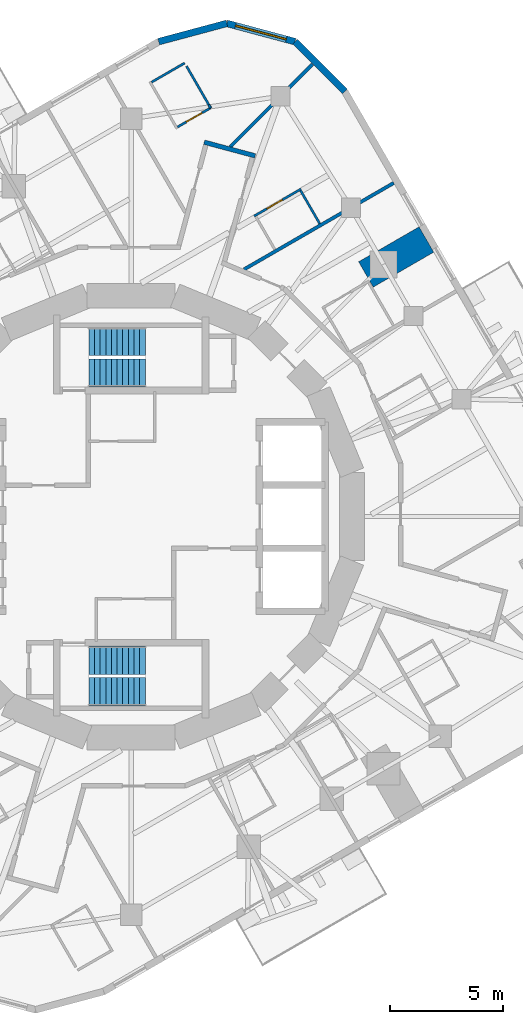
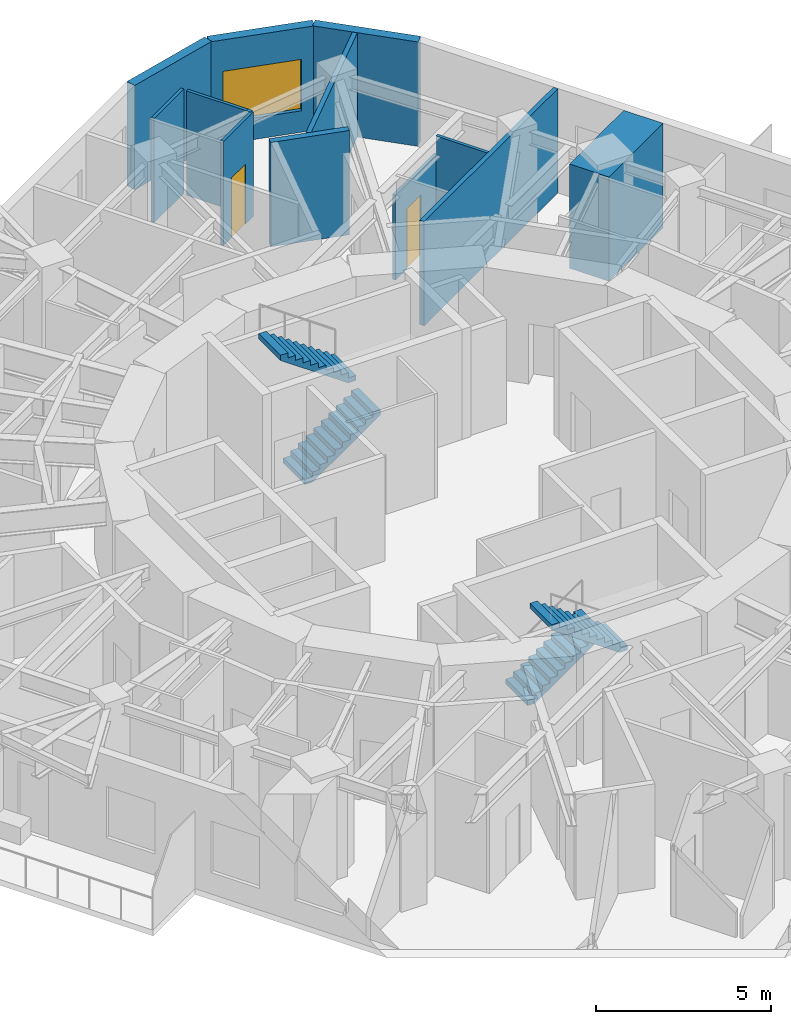
# One storey, part 9 of 11: 13 walls, 4 stair flights, 2 doors, 1 window, 3 openings, 2 elements without a shape of their own.
"""IFC4 building model written with IfcOpenShell, lengths in metres."""

from ifc_helpers import new_model, si_unit, direction, frame, frame_2d, origin, place, context, subcontext, project, spatial, polyline, rectangle, outline, extrude, material, layer, layer_set, type_object, element, fill, aggregate, save


model = new_model("IFC4")

# Units and contexts
model_context = context("Model", 3, precision=1e-05, world=origin(), true_north=direction((0.0, 1.0)))
body_context = subcontext(model_context, "Body", "Model", "MODEL_VIEW")
ifc_project = project(units=[si_unit("LENGTHUNIT", "METRE"), si_unit("AREAUNIT", "SQUARE_METRE"), si_unit("VOLUMEUNIT", "CUBIC_METRE"), si_unit("PLANEANGLEUNIT", "RADIAN"), si_unit("MASSUNIT", "GRAM", prefix="KILO")], contexts=[model_context])

# Site, building, storey
site_placement = place(None, origin())
site = spatial("IfcSite", under=ifc_project, at=site_placement, CompositionType="ELEMENT")
building_placement = place(site_placement, origin())
building = spatial("IfcBuilding", under=site, at=building_placement, Name="Nakasero Lantern House", CompositionType="ELEMENT")
storey_placement = place(building_placement, frame((0.0, 0.0, 250.050048828125)))
storey = spatial("IfcBuildingStorey", under=building, at=storey_placement, Name="L61", CompositionType="ELEMENT", Elevation=250.050048828125)

# Walls
ifc_material_1 = material(Name="Blockwork", Category="masonry")
ifc_layer_1 = layer(ifc_material_1, 1.300048828125)
ifc_layer_set_1 = layer_set([ifc_layer_1], Name="Column pier 1300")
wall_type_1 = type_object("IfcWallType", Name="Column pier 1300", PredefinedType="PARTITIONING", material=ifc_layer_set_1)
wall_1_placement = place(storey_placement, frame((10.4208984375, 10.75048828125, 0.0), z_axis=(0.0, 0.0, 1.0), x_axis=(0.866063626216, 0.499933790963, 0.0)))
element("IfcWall", 1, at=wall_1_placement, inside=storey, type_object=wall_type_1, Name="Column pier L61 PN0-05", PredefinedType="PARTITIONING", context=body_context, shape_type="SweptSolid", body=[
    extrude(rectangle(XDim=3.10009765625, YDim=1.300048828125, at=frame_2d((1.550048828125, 0.0))), origin(), (0.0, 0.0, 1.0), 3.64990234375),
])
ifc_material_2 = material(Name="Blockwork", Category="masonry")
ifc_layer_2 = layer(ifc_material_2, 0.199951171875)
ifc_layer_set_2 = layer_set([ifc_layer_2], Name="Corridor wall 200")
wall_type_2 = type_object("IfcWallType", Name="Corridor wall 200", PredefinedType="PARTITIONING", material=ifc_layer_set_2)
wall_2_placement = place(storey_placement, frame((5.502685546875, 16.015380859375, 0.0), z_axis=(0.0, 0.0, 1.0), x_axis=(-0.965917312786, 0.258850815837, 0.0)))
element("IfcWall", 2, at=wall_2_placement, inside=storey, type_object=wall_type_2, Name="Corridor wall L61 SP0e", PredefinedType="PARTITIONING", context=body_context, shape_type="SweptSolid", body=[
    extrude(rectangle(XDim=2.340087890625, YDim=0.199951171875, at=frame_2d((1.169921875, 0.0))), origin(), (0.0, 0.0, 1.0), 3.64990234375),
])

# Wall, opening, door
ifc_material_3 = material(Name="Blockwork", Category="masonry")
ifc_layer_3 = layer(ifc_material_3, 0.10009765625)
ifc_layer_set_3 = layer_set([ifc_layer_3], Name="En-suite wall 100")
wall_type_3 = type_object("IfcWallType", Name="En-suite wall 100", PredefinedType="PARTITIONING", material=ifc_layer_set_3)
wall_3_placement = place(storey_placement, frame((5.46044921875, 13.342041015625, 0.0), z_axis=(0.0, 0.0, 1.0), x_axis=(0.866006032174, 0.500033551112, 0.0)))
wall_3 = element("IfcWall", 3, at=wall_3_placement, inside=storey, type_object=wall_type_3, Name="En-suite wall L61 ES0-06", PredefinedType="PARTITIONING", context=body_context, shape_type="SweptSolid", body=[
    extrude(rectangle(XDim=2.400146484375, YDim=0.10009765625, at=frame_2d((1.2001953125, 0.0))), origin(), (0.0, 0.0, 1.0), 2.966552734375),
])
opening_1_placement = place(wall_3_placement, frame((0.64990234375, 0.0, 0.0)))
opening_1 = element("IfcOpeningElement", 4, at=opening_1_placement, cuts=wall_3, Name="Opening D02", PredefinedType="OPENING", context=body_context, shape_type="SweptSolid", body=[
    extrude(rectangle(XDim=0.800048828125, YDim=2.10009765625, at=frame_2d((0.39990234375, 1.050048828125))), frame((0.0, 0.070068359375, 0.0), z_axis=(0.0, -1.0, 0.0), x_axis=(1.0, 0.0, 0.0)), (0.0, 0.0, 1.0), 0.14013671875),
])
ifc_material_4 = material(Name="Timber C24", Category="wood")
door_type = type_object("IfcDoorType", Name="En-suite door 800", OperationType="SINGLE_SWING_RIGHT", PredefinedType="DOOR", material=ifc_material_4)
door_1_placement = place(opening_1_placement, origin())
door_1 = element("IfcDoor", 5, at=door_1_placement, inside=storey, type_object=door_type, Name="Door L61 DE0-06", OperationType="SINGLE_SWING_LEFT", OverallHeight=2.10009765625, OverallWidth=0.800048828125, PredefinedType="DOOR", context=body_context, shape_type="SweptSolid", body=[
    extrude(rectangle(XDim=0.800048828125, YDim=2.10009765625, at=frame_2d((0.39990234375, 1.050048828125))), frame((0.0, 0.02490234375, 0.0), z_axis=(0.0, -1.0, 0.0), x_axis=(1.0, 0.0, 0.0)), (0.0, 0.0, 1.0), 0.050048828125),
])
fill(opening_1, door_1)

# Walls
for number, where, z_axis, x_axis, name in (
    (6, (8.37060546875, 13.001708984375, 0.0), (0.0, 0.0, 1.0), (-0.499954529098, 0.86605165483, 0.0), "En-suite wall L61 EE0-06"),
    (7, (2.37548828125, 20.135498046875, 0.0), (0.0, 0.0, 1.0), (-0.865989465428, -0.500062241894, 0.0), "En-suite wall L61 EE1-00"),
):
    element("IfcWall", number, at=place(storey_placement, frame(where, z_axis=z_axis, x_axis=x_axis)), inside=storey, type_object=wall_type_3, Name=name, PredefinedType="PARTITIONING", context=body_context, shape_type="SweptSolid", body=[
        extrude(rectangle(XDim=1.699951171875, YDim=0.10009765625, at=frame_2d((0.85009765625, 0.0))), origin(), (0.0, 0.0, 1.0), 3.64990234375),
    ])

# Wall, opening, door
wall_4_placement = place(storey_placement, frame((3.525634765625, 18.1435546875, 0.0), z_axis=(0.0, 0.0, 1.0), x_axis=(-0.866025371046, -0.500000056704, 0.0)))
wall_4 = element("IfcWall", 8, at=wall_4_placement, inside=storey, type_object=wall_type_3, Name="En-suite wall L61 EI1-00", PredefinedType="PARTITIONING", context=body_context, shape_type="SweptSolid", body=[
    extrude(rectangle(XDim=1.7001953125, YDim=0.10009765625, at=frame_2d((0.85009765625, 0.0))), origin(), (0.0, 0.0, 1.0), 3.64990234375),
])
opening_2_placement = place(wall_4_placement, frame((0.449951171875, 0.0, 0.0)))
opening_2 = element("IfcOpeningElement", 9, at=opening_2_placement, cuts=wall_4, Name="Opening D02", PredefinedType="OPENING", context=body_context, shape_type="SweptSolid", body=[
    extrude(rectangle(XDim=0.800048828125, YDim=2.10009765625, at=frame_2d((0.39990234375, 1.050048828125))), frame((0.0, 0.070068359375, 0.0), z_axis=(0.0, -1.0, 0.0), x_axis=(1.0, 0.0, 0.0)), (0.0, 0.0, 1.0), 0.14013671875),
])
door_2_placement = place(opening_2_placement, origin())
door_2 = element("IfcDoor", 10, at=door_2_placement, inside=storey, type_object=door_type, Name="Door L61 DE1-00", OperationType="SINGLE_SWING_RIGHT", OverallHeight=2.10009765625, OverallWidth=0.800048828125, PredefinedType="DOOR", context=body_context, shape_type="SweptSolid", body=[
    extrude(rectangle(XDim=0.800048828125, YDim=2.10009765625, at=frame_2d((0.39990234375, 1.050048828125))), frame((0.0, 0.02490234375, 0.0), z_axis=(0.0, -1.0, 0.0), x_axis=(1.0, 0.0, 0.0)), (0.0, 0.0, 1.0), 0.050048828125),
])
fill(opening_2, door_2)

# Walls
wall_5_placement = place(storey_placement, frame((3.445556640625, 18.2822265625, 0.0), z_axis=(0.0, 0.0, 1.0), x_axis=(-0.500024883228, 0.866011036969, 0.0)))
element("IfcWall", 11, at=wall_5_placement, inside=storey, type_object=wall_type_3, Name="En-suite wall L61 EX001", PredefinedType="PARTITIONING", context=body_context, shape_type="SweptSolid", body=[
    extrude(rectangle(XDim=1.97998046875, YDim=0.10009765625, at=frame_2d((0.989990234375, 0.0))), origin(), (0.0, 0.0, 1.0), 3.64990234375),
])
wall_6_placement = place(storey_placement, frame((3.525634765625, 18.1435546875, 0.0), z_axis=(0.0, 0.0, 1.0), x_axis=(-0.500074377092, 0.865982457891, 0.0)))
element("IfcWall", 12, at=wall_6_placement, inside=storey, type_object=wall_type_3, Name="En-suite wall L61 EI1-00R0", PredefinedType="PARTITIONING", context=body_context, shape_type="SweptSolid", body=[
    extrude(rectangle(XDim=0.16015625, YDim=0.10009765625, at=frame_2d((0.080078125, 0.0))), origin(), (0.0, 0.0, 1.0), 3.64990234375),
])
ifc_material_5 = material(Name="Aluminium rainscreen on blockwork", Category="masonry")
ifc_layer_4 = layer(ifc_material_5, 0.300048828125)
ifc_layer_set_4 = layer_set([ifc_layer_4], Name="Facade wall 300")
wall_type_4 = type_object("IfcWallType", Name="Facade wall 300", PredefinedType="SOLIDWALL", material=ifc_layer_set_4)
wall_7_placement = place(storey_placement, frame((9.4853515625, 18.870849609375, 0.0), z_axis=(0.0, 0.0, 1.0), x_axis=(-0.707067801733, 0.707145758492, 0.0)))
element("IfcWall", 13, at=wall_7_placement, inside=storey, type_object=wall_type_4, Name="Facade wall L61 FW0C1", PredefinedType="SOLIDWALL", context=body_context, shape_type="SweptSolid", body=[
    extrude(rectangle(XDim=3.1318359375, YDim=0.300048828125, at=frame_2d((1.56591796875, 0.0))), origin(), (0.0, 0.0, 1.0), 3.64990234375),
])

# Wall, opening, window
wall_8_placement = place(storey_placement, frame((7.27099609375, 21.08544921875, 0.0), z_axis=(0.0, 0.0, 1.0), x_axis=(-0.965928914048, 0.258807521156, 0.0)))
wall_8 = element("IfcWall", 14, at=wall_8_placement, inside=storey, type_object=wall_type_4, Name="Facade wall L61 FW0C2", PredefinedType="SOLIDWALL", context=body_context, shape_type="SweptSolid", body=[
    extrude(rectangle(XDim=3.1318359375, YDim=0.300048828125, at=frame_2d((1.56591796875, 0.0))), origin(), (0.0, 0.0, 1.0), 3.64990234375),
])
opening_3_placement = place(wall_8_placement, frame((0.39990234375, 0.0, 0.75)))
opening_3 = element("IfcOpeningElement", 15, at=opening_3_placement, cuts=wall_8, Name="Opening W223", PredefinedType="OPENING", context=body_context, shape_type="SweptSolid", body=[
    extrude(rectangle(XDim=2.33203125, YDim=1.800048828125, at=frame_2d((1.166015625, 0.89990234375))), frame((0.0, 0.169921875, 0.0), z_axis=(0.0, -1.0, 0.0), x_axis=(1.0, 0.0, 0.0)), (0.0, 0.0, 1.0), 0.340087890625),
])
ifc_material_6 = material(Name="Aluminium 6063-T6 and glass", Category="aluminium")
window_type = type_object("IfcWindowType", Name="Corner window 2332x1800", PartitioningType="SINGLE_PANEL", PredefinedType="WINDOW", material=ifc_material_6)
window_placement = place(opening_3_placement, origin())
window = element("IfcWindow", 16, at=window_placement, inside=storey, type_object=window_type, Name="Window L61 WC0", OverallHeight=1.800048828125, OverallWidth=2.33203125, PartitioningType="SINGLE_PANEL", PredefinedType="WINDOW", context=body_context, shape_type="SweptSolid", body=[
    extrude(rectangle(XDim=2.33203125, YDim=1.800048828125, at=frame_2d((1.166015625, 0.89990234375))), frame((0.0, 0.030029296875, 0.0), z_axis=(0.0, -1.0, 0.0), x_axis=(1.0, 0.0, 0.0)), (0.0, 0.0, 1.0), 0.06005859375),
])
fill(opening_3, window)

# Walls
wall_9_placement = place(storey_placement, frame((4.245849609375, 21.89599609375, 0.0), z_axis=(0.0, 0.0, 1.0), x_axis=(-0.96592369199, -0.258827010283, 0.0)))
element("IfcWall", 17, at=wall_9_placement, inside=storey, type_object=wall_type_4, Name="Facade wall L61 FW0C3", PredefinedType="SOLIDWALL", context=body_context, shape_type="SweptSolid", body=[
    extrude(rectangle(XDim=3.131591796875, YDim=0.300048828125, at=frame_2d((1.56591796875, 0.0))), origin(), (0.0, 0.0, 1.0), 3.64990234375),
])
ifc_material_7 = material(Name="Blockwork", Category="masonry")
ifc_layer_5 = layer(ifc_material_7, 0.14990234375)
ifc_layer_set_5 = layer_set([ifc_layer_5], Name="Party wall 150")
wall_type_5 = type_object("IfcWallType", Name="Party wall 150", PredefinedType="PARTITIONING", material=ifc_layer_set_5)
wall_10_placement = place(storey_placement, frame((5.011474609375, 10.9755859375, 0.0), z_axis=(0.0, 0.0, 1.0), x_axis=(0.866033500054, 0.499985976588, 0.0)))
element("IfcWall", 18, at=wall_10_placement, inside=storey, type_object=wall_type_5, Name="Party wall L61 PW0-06", PredefinedType="PARTITIONING", context=body_context, shape_type="SweptSolid", body=[
    extrude(rectangle(XDim=7.672119140625, YDim=0.14990234375, at=frame_2d((3.8359375, 0.0))), origin(), (0.0, 0.0, 1.0), 3.64990234375),
])
wall_11_placement = place(storey_placement, frame((4.3984375, 16.414794921875, 0.0), z_axis=(0.0, 0.0, 1.0), x_axis=(0.705549334897, 0.708660804635, 0.0)))
element("IfcWall", 19, at=wall_11_placement, inside=storey, type_object=wall_type_5, Name="Party wall L61 PW1-00", PredefinedType="PARTITIONING", context=body_context, shape_type="SweptSolid", body=[
    extrude(rectangle(XDim=5.1787109375, YDim=0.14990234375, at=frame_2d((2.58935546875, 0.0))), origin(), (0.0, 0.0, 1.0), 3.64990234375),
])

# Stair, stair flights
ifc_material_8 = material(Name="Concrete C40/50", Category="concrete")
stair_type_1 = type_object("IfcStairType", Name="Escape stair ST1 22 risers", PredefinedType="HALF_TURN_STAIR", material=ifc_material_8)
stair_1_placement = place(storey_placement, origin())
stair_1 = element("IfcStair", 20, at=stair_1_placement, inside=storey, type_object=stair_type_1, Name="Escape stair ST1 L61", PredefinedType="HALF_TURN_STAIR")
ifc_material_9 = material(Name="Concrete C40/50", Category="concrete")
stair_flight_type = type_object("IfcStairFlightType", Name="Escape stair flight", PredefinedType="STRAIGHT", material=ifc_material_9)
stair_flight_1_placement = place(storey_placement, frame((-1.875, 6.375, 0.0), z_axis=(0.0, 0.0, 1.0), x_axis=(1.0, 0.0, 0.0)))
stair_flight_1 = element("IfcStairFlight", 21, at=stair_flight_1_placement, type_object=stair_flight_type, Name="ST1 flight 1", NumberOfRisers=11, NumberOfTreads=10, PredefinedType="STRAIGHT", RiserHeight=0.175, TreadLength=0.25, context=body_context, shape_type="SweptSolid", body=[
    extrude(outline(polyline([(0.0, 0.0), (0.0, 0.175048828125), (0.25, 0.175048828125), (0.25, 0.35009765625), (0.5, 0.35009765625), (0.5, 0.52490234375), (0.75, 0.52490234375), (0.75, 0.699951171875), (1.0, 0.699951171875), (1.0, 0.875), (1.25, 0.875), (1.25, 1.050048828125), (1.5, 1.050048828125), (1.5, 1.22509765625), (1.75, 1.22509765625), (1.75, 1.39990234375), (2.0, 1.39990234375), (2.0, 1.574951171875), (2.25, 1.574951171875), (2.25, 1.75), (2.5, 1.75), (2.5, 1.925048828125), (2.5, 1.567138671875), (0.261474609375, 0.0), (0.0, 0.0)])), frame((0.0, 0.625, 0.0), z_axis=(0.0, -1.0, 0.0), x_axis=(1.0, 0.0, 0.0)), (0.0, 0.0, 1.0), 1.25),
])
stair_flight_2_placement = place(storey_placement, frame((0.625, 7.77490234375, 1.925048828125), z_axis=(0.0, 0.0, 1.0), x_axis=(-1.0, 0.0, 0.0)))
stair_flight_2 = element("IfcStairFlight", 22, at=stair_flight_2_placement, type_object=stair_flight_type, Name="ST1 flight 2", NumberOfRisers=11, NumberOfTreads=10, PredefinedType="STRAIGHT", RiserHeight=0.175, TreadLength=0.25, context=body_context, shape_type="SweptSolid", body=[
    extrude(outline(polyline([(0.0, 0.0), (0.0, 0.175048828125), (0.25, 0.175048828125), (0.25, 0.35009765625), (0.5, 0.35009765625), (0.5, 0.52490234375), (0.75, 0.52490234375), (0.75, 0.699951171875), (1.0, 0.699951171875), (1.0, 0.875), (1.25, 0.875), (1.25, 1.050048828125), (1.5, 1.050048828125), (1.5, 1.22509765625), (1.75, 1.22509765625), (1.75, 1.39990234375), (2.0, 1.39990234375), (2.0, 1.574951171875), (2.25, 1.574951171875), (2.25, 1.75), (2.5, 1.75), (2.5, 1.925048828125), (2.5, 1.567138671875), (0.261474609375, 0.0), (0.0, 0.0)])), frame((0.0, 0.625, 0.0), z_axis=(0.0, -1.0, 0.0), x_axis=(1.0, 0.0, 0.0)), (0.0, 0.0, 1.0), 1.25),
])
aggregate(stair_1, [stair_flight_1, stair_flight_2])

ifc_material_10 = material(Name="Concrete C40/50", Category="concrete")
stair_type_2 = type_object("IfcStairType", Name="Escape stair ST2 22 risers", PredefinedType="HALF_TURN_STAIR", material=ifc_material_10)
stair_2_placement = place(storey_placement, origin())
stair_2 = element("IfcStair", 23, at=stair_2_placement, inside=storey, type_object=stair_type_2, Name="Escape stair ST2 L61", PredefinedType="HALF_TURN_STAIR")
stair_flight_3_placement = place(storey_placement, frame((-1.875, -6.375, 0.0), z_axis=(0.0, 0.0, 1.0), x_axis=(1.0, 0.0, 0.0)))
stair_flight_3 = element("IfcStairFlight", 24, at=stair_flight_3_placement, type_object=stair_flight_type, Name="ST2 flight 1", NumberOfRisers=11, NumberOfTreads=10, PredefinedType="STRAIGHT", RiserHeight=0.175, TreadLength=0.25, context=body_context, shape_type="SweptSolid", body=[
    extrude(outline(polyline([(0.0, 0.0), (0.0, 0.175048828125), (0.25, 0.175048828125), (0.25, 0.35009765625), (0.5, 0.35009765625), (0.5, 0.52490234375), (0.75, 0.52490234375), (0.75, 0.699951171875), (1.0, 0.699951171875), (1.0, 0.875), (1.25, 0.875), (1.25, 1.050048828125), (1.5, 1.050048828125), (1.5, 1.22509765625), (1.75, 1.22509765625), (1.75, 1.39990234375), (2.0, 1.39990234375), (2.0, 1.574951171875), (2.25, 1.574951171875), (2.25, 1.75), (2.5, 1.75), (2.5, 1.925048828125), (2.5, 1.567138671875), (0.261474609375, 0.0), (0.0, 0.0)])), frame((0.0, 0.625, 0.0), z_axis=(0.0, -1.0, 0.0), x_axis=(1.0, 0.0, 0.0)), (0.0, 0.0, 1.0), 1.25),
])
stair_flight_4_placement = place(storey_placement, frame((0.625, -7.77490234375, 1.925048828125), z_axis=(0.0, 0.0, 1.0), x_axis=(-1.0, 0.0, 0.0)))
stair_flight_4 = element("IfcStairFlight", 25, at=stair_flight_4_placement, type_object=stair_flight_type, Name="ST2 flight 2", NumberOfRisers=11, NumberOfTreads=10, PredefinedType="STRAIGHT", RiserHeight=0.175, TreadLength=0.25, context=body_context, shape_type="SweptSolid", body=[
    extrude(outline(polyline([(0.0, 0.0), (0.0, 0.175048828125), (0.25, 0.175048828125), (0.25, 0.35009765625), (0.5, 0.35009765625), (0.5, 0.52490234375), (0.75, 0.52490234375), (0.75, 0.699951171875), (1.0, 0.699951171875), (1.0, 0.875), (1.25, 0.875), (1.25, 1.050048828125), (1.5, 1.050048828125), (1.5, 1.22509765625), (1.75, 1.22509765625), (1.75, 1.39990234375), (2.0, 1.39990234375), (2.0, 1.574951171875), (2.25, 1.574951171875), (2.25, 1.75), (2.5, 1.75), (2.5, 1.925048828125), (2.5, 1.567138671875), (0.261474609375, 0.0), (0.0, 0.0)])), frame((0.0, 0.625, 0.0), z_axis=(0.0, -1.0, 0.0), x_axis=(1.0, 0.0, 0.0)), (0.0, 0.0, 1.0), 1.25),
])
aggregate(stair_2, [stair_flight_3, stair_flight_4])

save(model, "model.ifc")
